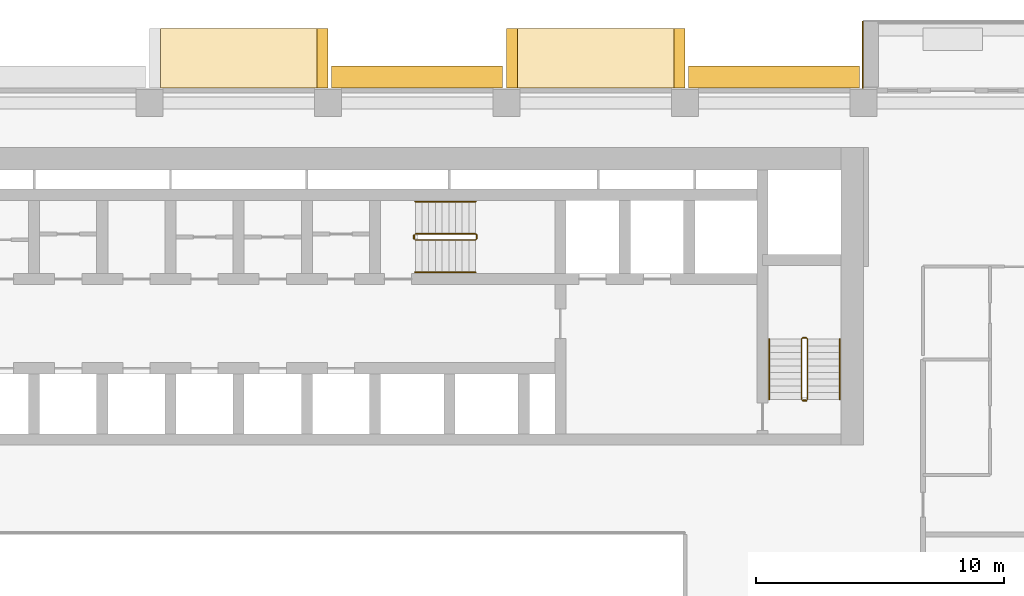
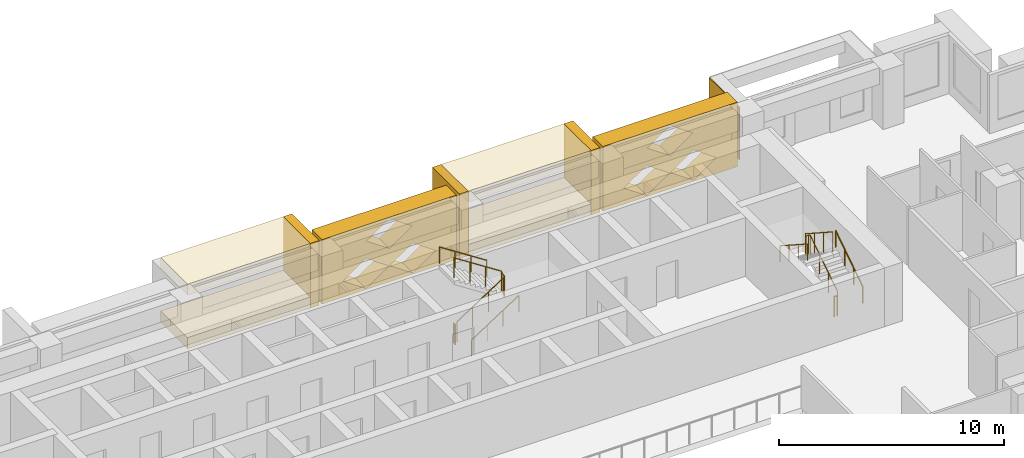
# One storey, part 15 of 16: 10 coverings, 8 railings.
"""IFC4 building model written with IfcOpenShell, lengths in metres."""

from ifc_helpers import new_model, si_unit, direction, frame, origin, origin_2d, place, context, subcontext, project, spatial, polyline, circle, outline, extrude, material, layer, layer_set, type_object, element, save


model = new_model("IFC4")

# Units and contexts
model_context = context("Model", 3, precision=1e-05, world=origin(), true_north=direction((0.0, 1.0)))
body_context = subcontext(model_context, "Body", "Model", "MODEL_VIEW")
ifc_project = project(units=[si_unit("LENGTHUNIT", "METRE"), si_unit("AREAUNIT", "SQUARE_METRE"), si_unit("VOLUMEUNIT", "CUBIC_METRE"), si_unit("PLANEANGLEUNIT", "RADIAN"), si_unit("MASSUNIT", "GRAM", prefix="KILO")], contexts=[model_context])

# Site, building, storey
site_placement = place(None, origin())
site = spatial("IfcSite", under=ifc_project, at=site_placement, CompositionType="ELEMENT")
building_placement = place(site_placement, origin())
building = spatial("IfcBuilding", under=site, at=building_placement, Name="Saffron Iwan Residences", CompositionType="ELEMENT")
storey_placement = place(building_placement, frame((0.0, 0.0, 44.5)))
storey = spatial("IfcBuildingStorey", under=building, at=storey_placement, Name="L10", CompositionType="ELEMENT", Elevation=44.5)

# Coverings
ifc_material_1 = material(Name="Precast concrete C40/50 white painted", Category="concrete")
ifc_layer = layer(ifc_material_1, 0.050048828125)
ifc_layer_set = layer_set([ifc_layer], Name="Precast concrete C40/50 white painted")
covering_type_1 = type_object("IfcCoveringType", Name="FRAME SKIN PRECAST WHITE 50", PredefinedType="CLADDING", material=ifc_layer_set)
covering_1_placement = place(storey_placement, origin())
element("IfcCovering", 1, at=covering_1_placement, inside=storey, type_object=covering_type_1, Name="Frame skin fin L10 F5-0b", PredefinedType="CLADDING", context=body_context, shape_type="SweptSolid", body=[
    extrude(outline(polyline([(72.0, 83.10009765625), (71.949951171875, 83.10009765625), (71.949951171875, 80.39990234375), (72.0, 80.39990234375), (72.0, 83.10009765625)])), origin(), (0.0, 0.0, 1.0), 2.85009765625),
])
ifc_material_2 = material(Name="Precast concrete C40/50", Category="concrete")
covering_type_2 = type_object("IfcCoveringType", Name="OUTER SKIN LATTICE SCREEN", PredefinedType="CLADDING", material=ifc_material_2)
for number, where, z_axis, x_axis, name in (
    (2, (71.85009765625, 80.39990234375, -0.320068359375), (0.0, 1.0, 0.0), (-1.0, 0.0, 0.0), "OUTER SKIN lattice screen L10 F5.1"),
    (3, (57.449951171875, 80.39990234375, -0.320068359375), (0.0, 1.0, 0.0), (-1.0, 0.0, 0.0), "OUTER SKIN lattice screen L10 F5.2"),
):
    element("IfcCovering", number, at=place(storey_placement, frame(where, z_axis=z_axis, x_axis=x_axis)), inside=storey, type_object=covering_type_2, Name=name, PredefinedType="CLADDING", context=body_context, shape_type="SweptSolid", body=[
        extrude(outline(polyline([(0.0, 0.0), (6.89990234375, 0.0), (6.89990234375, 3.5), (0.0, 3.5), (0.0, 0.0)]), holes=[polyline([(1.070068359375, 0.875), (2.25, 0.06005859375), (3.429931640625, 0.875), (2.25, 1.68994140625), (1.070068359375, 0.875)]), polyline([(3.469970703125, 0.875), (4.64990234375, 0.06005859375), (5.830078125, 0.875), (4.64990234375, 1.68994140625), (3.469970703125, 0.875)]), polyline([(2.27001953125, 2.625), (3.449951171875, 1.81005859375), (4.6298828125, 2.625), (3.449951171875, 3.43994140625), (2.27001953125, 2.625)])]), origin(), (0.0, 0.0, 1.0), 0.900146484375),
    ])

# Railings
ifc_material_3 = material(Name="Steel S355", Category="steel")
railing_type_1 = type_object("IfcRailingType", Name="Stair guard 1100", PredefinedType="GUARDRAIL", material=ifc_material_3)
railing_1_placement = place(storey_placement, frame((53.925048828125, 74.27490234375, 0.175048828125)))
element("IfcRailing", 4, at=railing_1_placement, inside=storey, type_object=railing_type_1, Name="L10 ST-C stair guard 1", PredefinedType="GUARDRAIL", context=body_context, shape_type="SweptSolid", body=[
    extrude(circle(Radius=0.02392578125, at=origin_2d()), frame((0.0, 0.0, 1.076171875), z_axis=(0.839153699163, 0.0, 0.543894354798), x_axis=(0.0, 1.0, 0.0)), (0.0, 0.0, 1.0), 2.895751953125),
    extrude(circle(Radius=0.02392578125, at=origin_2d()), frame((2.429931640625, 0.0, 2.65087890625), z_axis=(0.707106781187, 0.707106781187, 0.0), x_axis=(-0.707106781187, 0.707106781187, 0.0)), (0.0, 0.0, 1.0), 0.07080078125),
    extrude(circle(Radius=0.02392578125, at=origin_2d()), frame((2.47998046875, 0.050048828125, 2.65087890625), z_axis=(0.0, 1.0, 0.0), x_axis=(-1.0, 0.0, 0.0)), (0.0, 0.0, 1.0), 0.150146484375),
    extrude(circle(Radius=0.02392578125, at=origin_2d()), frame((2.47998046875, 0.2001953125, 2.65087890625), z_axis=(-0.265155923931, 0.263862480399, 0.927399011991), x_axis=(-0.705375805398, -0.708833529934, 0.0)), (0.0, 0.0, 1.0), 0.188720703125),
    extrude(circle(Radius=0.02392578125, at=origin_2d()), frame((2.429931640625, 0.25, 2.826171875), z_axis=(-0.839153699163, 0.0, 0.543894354798), x_axis=(0.0, -1.0, 0.0)), (0.0, 0.0, 1.0), 2.895751953125),
    extrude(circle(Radius=0.02099609375, at=origin_2d()), origin(), (0.0, 0.0, 1.0), 1.052001953125),
    extrude(circle(Radius=0.02099609375, at=origin_2d()), frame((0.81005859375, 0.0, 0.52490234375)), (0.0, 0.0, 1.0), 1.052001953125),
    extrude(circle(Radius=0.02099609375, at=origin_2d()), frame((1.619873046875, 0.0, 1.050048828125)), (0.0, 0.0, 1.0), 1.052001953125),
    extrude(circle(Radius=0.02099609375, at=origin_2d()), frame((2.429931640625, 0.0, 1.574951171875)), (0.0, 0.0, 1.0), 1.052001953125),
    extrude(circle(Radius=0.02099609375, at=origin_2d()), frame((2.47998046875, 0.050048828125, 1.574951171875)), (0.0, 0.0, 1.0), 1.052001953125),
    extrude(circle(Radius=0.02099609375, at=origin_2d()), frame((2.47998046875, 0.2001953125, 1.574951171875)), (0.0, 0.0, 1.0), 1.052001953125),
    extrude(circle(Radius=0.02099609375, at=origin_2d()), frame((2.429931640625, 0.25, 1.75)), (0.0, 0.0, 1.0), 1.052001953125),
    extrude(circle(Radius=0.02099609375, at=origin_2d()), frame((1.619873046875, 0.25, 2.27490234375)), (0.0, 0.0, 1.0), 1.052001953125),
    extrude(circle(Radius=0.02099609375, at=origin_2d()), frame((0.81005859375, 0.25, 2.800048828125)), (0.0, 0.0, 1.0), 1.052001953125),
    extrude(circle(Radius=0.02099609375, at=origin_2d()), frame((0.0, 0.25, 3.324951171875)), (0.0, 0.0, 1.0), 1.052001953125),
])
railing_2_placement = place(storey_placement, frame((53.875, 74.324951171875, 0.0)))
element("IfcRailing", 5, at=railing_2_placement, inside=storey, type_object=railing_type_1, Name="L10 ST-C stair guard 2", PredefinedType="GUARDRAIL", context=body_context, shape_type="SweptSolid", body=[
    extrude(circle(Radius=0.02392578125, at=origin_2d()), frame((0.0, 0.0, 1.076171875), z_axis=(0.0, 1.0, 0.0), x_axis=(-1.0, 0.0, 0.0)), (0.0, 0.0, 1.0), 0.150146484375),
    extrude(circle(Radius=0.02099609375, at=origin_2d()), origin(), (0.0, 0.0, 1.0), 1.052001953125),
    extrude(circle(Radius=0.02099609375, at=origin_2d()), frame((0.0, 0.150146484375, 0.0)), (0.0, 0.0, 1.0), 1.052001953125),
])
railing_3_placement = place(storey_placement, frame((69.75, 67.85009765625, 0.175048828125)))
element("IfcRailing", 6, at=railing_3_placement, inside=storey, type_object=railing_type_1, Name="L10 ST-E stair guard 1", PredefinedType="GUARDRAIL", context=body_context, shape_type="SweptSolid", body=[
    extrude(circle(Radius=0.02392578125, at=origin_2d()), frame((0.0, 0.0, 1.076171875), z_axis=(0.0, 0.839153699163, 0.543894354798), x_axis=(-1.0, 0.0, 0.0)), (0.0, 0.0, 1.0), 2.895751953125),
    extrude(circle(Radius=0.02392578125, at=origin_2d()), frame((0.0, 2.429931640625, 2.65087890625), z_axis=(-0.707106781187, 0.707106781187, 0.0), x_axis=(-0.707106781187, -0.707106781187, 0.0)), (0.0, 0.0, 1.0), 0.07080078125),
    extrude(circle(Radius=0.02392578125, at=origin_2d()), frame((-0.050048828125, 2.47998046875, 2.65087890625), z_axis=(-1.0, 0.0, 0.0), x_axis=(0.0, -1.0, 0.0)), (0.0, 0.0, 1.0), 0.14990234375),
    extrude(circle(Radius=0.02392578125, at=origin_2d()), frame((-0.199951171875, 2.47998046875, 2.65087890625), z_axis=(-0.265065253269, -0.265065253269, 0.927081885822), x_axis=(0.707106781187, -0.707106781187, 0.0)), (0.0, 0.0, 1.0), 0.188720703125),
    extrude(circle(Radius=0.02392578125, at=origin_2d()), frame((-0.25, 2.429931640625, 2.826171875), z_axis=(0.0, -0.839153699163, 0.543894354798), x_axis=(1.0, 0.0, 0.0)), (0.0, 0.0, 1.0), 2.895751953125),
    extrude(circle(Radius=0.02099609375, at=origin_2d()), origin(), (0.0, 0.0, 1.0), 1.052001953125),
    extrude(circle(Radius=0.02099609375, at=origin_2d()), frame((0.0, 0.81005859375, 0.52490234375)), (0.0, 0.0, 1.0), 1.052001953125),
    extrude(circle(Radius=0.02099609375, at=origin_2d()), frame((0.0, 1.619873046875, 1.050048828125)), (0.0, 0.0, 1.0), 1.052001953125),
    extrude(circle(Radius=0.02099609375, at=origin_2d()), frame((0.0, 2.429931640625, 1.574951171875)), (0.0, 0.0, 1.0), 1.052001953125),
    extrude(circle(Radius=0.02099609375, at=origin_2d()), frame((-0.050048828125, 2.47998046875, 1.574951171875)), (0.0, 0.0, 1.0), 1.052001953125),
    extrude(circle(Radius=0.02099609375, at=origin_2d()), frame((-0.199951171875, 2.47998046875, 1.574951171875)), (0.0, 0.0, 1.0), 1.052001953125),
    extrude(circle(Radius=0.02099609375, at=origin_2d()), frame((-0.25, 2.429931640625, 1.75)), (0.0, 0.0, 1.0), 1.052001953125),
    extrude(circle(Radius=0.02099609375, at=origin_2d()), frame((-0.25, 1.619873046875, 2.27490234375)), (0.0, 0.0, 1.0), 1.052001953125),
    extrude(circle(Radius=0.02099609375, at=origin_2d()), frame((-0.25, 0.81005859375, 2.800048828125)), (0.0, 0.0, 1.0), 1.052001953125),
    extrude(circle(Radius=0.02099609375, at=origin_2d()), frame((-0.25, 0.0, 3.324951171875)), (0.0, 0.0, 1.0), 1.052001953125),
])
railing_4_placement = place(storey_placement, frame((69.699951171875, 67.800048828125, 0.0)))
element("IfcRailing", 7, at=railing_4_placement, inside=storey, type_object=railing_type_1, Name="L10 ST-E stair guard 2", PredefinedType="GUARDRAIL", context=body_context, shape_type="SweptSolid", body=[
    extrude(circle(Radius=0.02392578125, at=origin_2d()), frame((0.0, 0.0, 1.076171875), z_axis=(-1.0, 0.0, 0.0), x_axis=(0.0, -1.0, 0.0)), (0.0, 0.0, 1.0), 0.14990234375),
    extrude(circle(Radius=0.02099609375, at=origin_2d()), origin(), (0.0, 0.0, 1.0), 1.052001953125),
    extrude(circle(Radius=0.02099609375, at=origin_2d()), frame((-0.14990234375, 0.0, 0.0)), (0.0, 0.0, 1.0), 1.052001953125),
])
ifc_material_4 = material(Name="Stainless steel 316", Category="steel")
railing_type_2 = type_object("IfcRailingType", Name="Stair handrail 900", PredefinedType="HANDRAIL", material=ifc_material_4)
railing_5_placement = place(storey_placement, frame((53.925048828125, 72.97509765625, 0.175048828125)))
element("IfcRailing", 8, at=railing_5_placement, inside=storey, type_object=railing_type_2, Name="L10 ST-C stair handrail 1", PredefinedType="HANDRAIL", context=body_context, shape_type="SweptSolid", body=[
    extrude(circle(Radius=0.02392578125, at=origin_2d()), frame((0.0, 0.0, 0.8759765625), z_axis=(0.839153699163, 0.0, 0.543894354798), x_axis=(0.0, 1.0, 0.0)), (0.0, 0.0, 1.0), 2.895751953125),
    extrude(circle(Radius=0.02099609375, at=origin_2d()), origin(), (0.0, 0.0, 1.0), 0.851806640625),
    extrude(circle(Radius=0.02099609375, at=origin_2d()), frame((0.81005859375, 0.0, 0.52490234375)), (0.0, 0.0, 1.0), 0.851806640625),
    extrude(circle(Radius=0.02099609375, at=origin_2d()), frame((1.619873046875, 0.0, 1.050048828125)), (0.0, 0.0, 1.0), 0.851806640625),
    extrude(circle(Radius=0.02099609375, at=origin_2d()), frame((2.429931640625, 0.0, 1.574951171875)), (0.0, 0.0, 1.0), 0.851806640625),
])
railing_6_placement = place(storey_placement, frame((56.35498046875, 75.824951171875, 1.925048828125)))
element("IfcRailing", 9, at=railing_6_placement, inside=storey, type_object=railing_type_2, Name="L10 ST-C stair handrail 2", PredefinedType="HANDRAIL", context=body_context, shape_type="SweptSolid", body=[
    extrude(circle(Radius=0.02392578125, at=origin_2d()), frame((0.0, 0.0, 0.8759765625), z_axis=(-0.839153699163, 0.0, 0.543894354798), x_axis=(0.0, -1.0, 0.0)), (0.0, 0.0, 1.0), 2.895751953125),
    extrude(circle(Radius=0.02099609375, at=origin_2d()), origin(), (0.0, 0.0, 1.0), 0.851806640625),
    extrude(circle(Radius=0.02099609375, at=origin_2d()), frame((-0.81005859375, 0.0, 0.52490234375)), (0.0, 0.0, 1.0), 0.851806640625),
    extrude(circle(Radius=0.02099609375, at=origin_2d()), frame((-1.619873046875, 0.0, 1.050048828125)), (0.0, 0.0, 1.0), 0.851806640625),
    extrude(circle(Radius=0.02099609375, at=origin_2d()), frame((-2.429931640625, 0.0, 1.574951171875)), (0.0, 0.0, 1.0), 0.851806640625),
])
railing_7_placement = place(storey_placement, frame((71.050048828125, 67.85009765625, 0.175048828125)))
element("IfcRailing", 10, at=railing_7_placement, inside=storey, type_object=railing_type_2, Name="L10 ST-E stair handrail 1", PredefinedType="HANDRAIL", context=body_context, shape_type="SweptSolid", body=[
    extrude(circle(Radius=0.02392578125, at=origin_2d()), frame((0.0, 0.0, 0.8759765625), z_axis=(0.0, 0.839153699163, 0.543894354798), x_axis=(-1.0, 0.0, 0.0)), (0.0, 0.0, 1.0), 2.895751953125),
    extrude(circle(Radius=0.02099609375, at=origin_2d()), origin(), (0.0, 0.0, 1.0), 0.851806640625),
    extrude(circle(Radius=0.02099609375, at=origin_2d()), frame((0.0, 0.81005859375, 0.52490234375)), (0.0, 0.0, 1.0), 0.851806640625),
    extrude(circle(Radius=0.02099609375, at=origin_2d()), frame((0.0, 1.619873046875, 1.050048828125)), (0.0, 0.0, 1.0), 0.851806640625),
    extrude(circle(Radius=0.02099609375, at=origin_2d()), frame((0.0, 2.429931640625, 1.574951171875)), (0.0, 0.0, 1.0), 0.851806640625),
])
railing_8_placement = place(storey_placement, frame((68.199951171875, 70.280029296875, 1.925048828125)))
element("IfcRailing", 11, at=railing_8_placement, inside=storey, type_object=railing_type_2, Name="L10 ST-E stair handrail 2", PredefinedType="HANDRAIL", context=body_context, shape_type="SweptSolid", body=[
    extrude(circle(Radius=0.02392578125, at=origin_2d()), frame((0.0, 0.0, 0.8759765625), z_axis=(0.0, -0.839153699163, 0.543894354798), x_axis=(1.0, 0.0, 0.0)), (0.0, 0.0, 1.0), 2.895751953125),
    extrude(circle(Radius=0.02099609375, at=origin_2d()), origin(), (0.0, 0.0, 1.0), 0.851806640625),
    extrude(circle(Radius=0.02099609375, at=origin_2d()), frame((0.0, -0.81005859375, 0.52490234375)), (0.0, 0.0, 1.0), 0.851806640625),
    extrude(circle(Radius=0.02099609375, at=origin_2d()), frame((0.0, -1.619873046875, 1.050048828125)), (0.0, 0.0, 1.0), 0.851806640625),
    extrude(circle(Radius=0.02099609375, at=origin_2d()), frame((0.0, -2.429931640625, 1.574951171875)), (0.0, 0.0, 1.0), 0.851806640625),
])

# Coverings
covering_type_3 = type_object("IfcCoveringType", Name="WHITE SUN FRAME PRECAST", PredefinedType="CLADDING", material=ifc_material_1)
for number, where, z_axis, x_axis, name in (
    (12, (64.800048828125, 80.39990234375, -0.320068359375), (0.0, 1.0, 0.0), (-1.0, 0.0, 0.0), "Sun frame L10 F5 18.0a"),
    (13, (58.050048828125, 80.39990234375, -0.320068359375), (0.0, 1.0, 0.0), (-1.0, 0.0, 0.0), "Sun frame L10 F5 18.0b"),
):
    element("IfcCovering", number, at=place(storey_placement, frame(where, z_axis=z_axis, x_axis=x_axis)), inside=storey, type_object=covering_type_3, Name=name, PredefinedType="CLADDING", context=body_context, shape_type="SweptSolid", body=[
        extrude(outline(polyline([(0.0, 0.0), (0.449951171875, 0.0), (0.449951171875, 3.5), (0.0, 3.5), (0.0, 0.0)])), origin(), (0.0, 0.0, 1.0), 2.400146484375),
    ])
for number, where, z_axis, x_axis, name in (
    (14, (64.35009765625, 80.39990234375, 2.580078125), (0.0, 1.0, 0.0), (-1.0, 0.0, 0.0), "Sun frame L10 F5 18.0h"),
    (15, (64.35009765625, 80.39990234375, -0.320068359375), (0.0, 1.0, 0.0), (-1.0, 0.0, 0.0), "Sun frame L10 F5 18.0s"),
):
    element("IfcCovering", number, at=place(storey_placement, frame(where, z_axis=z_axis, x_axis=x_axis)), inside=storey, type_object=covering_type_3, Name=name, PredefinedType="CLADDING", context=body_context, shape_type="SweptSolid", body=[
        extrude(outline(polyline([(0.0, 0.0), (6.300048828125, 0.0), (6.300048828125, 0.60009765625), (0.0, 0.60009765625), (0.0, 0.0)])), origin(), (0.0, 0.0, 1.0), 2.400146484375),
    ])
covering_2_placement = place(storey_placement, frame((50.39990234375, 80.39990234375, -0.320068359375), z_axis=(0.0, 1.0, 0.0), x_axis=(-1.0, 0.0, 0.0)))
element("IfcCovering", 16, at=covering_2_placement, inside=storey, type_object=covering_type_3, Name="Sun frame L10 F5 32.4a", PredefinedType="CLADDING", context=body_context, shape_type="SweptSolid", body=[
    extrude(outline(polyline([(0.0, 0.0), (0.449951171875, 0.0), (0.449951171875, 3.5), (0.0, 3.5), (0.0, 0.0)])), origin(), (0.0, 0.0, 1.0), 2.400146484375),
])
for number, where, z_axis, x_axis, name in (
    (17, (49.949951171875, 80.39990234375, 2.580078125), (0.0, 1.0, 0.0), (-1.0, 0.0, 0.0), "Sun frame L10 F5 32.4h"),
    (18, (49.949951171875, 80.39990234375, -0.320068359375), (0.0, 1.0, 0.0), (-1.0, 0.0, 0.0), "Sun frame L10 F5 32.4s"),
):
    element("IfcCovering", number, at=place(storey_placement, frame(where, z_axis=z_axis, x_axis=x_axis)), inside=storey, type_object=covering_type_3, Name=name, PredefinedType="CLADDING", context=body_context, shape_type="SweptSolid", body=[
        extrude(outline(polyline([(0.0, 0.0), (6.300048828125, 0.0), (6.300048828125, 0.60009765625), (0.0, 0.60009765625), (0.0, 0.0)])), origin(), (0.0, 0.0, 1.0), 2.400146484375),
    ])

save(model, "model.ifc")
